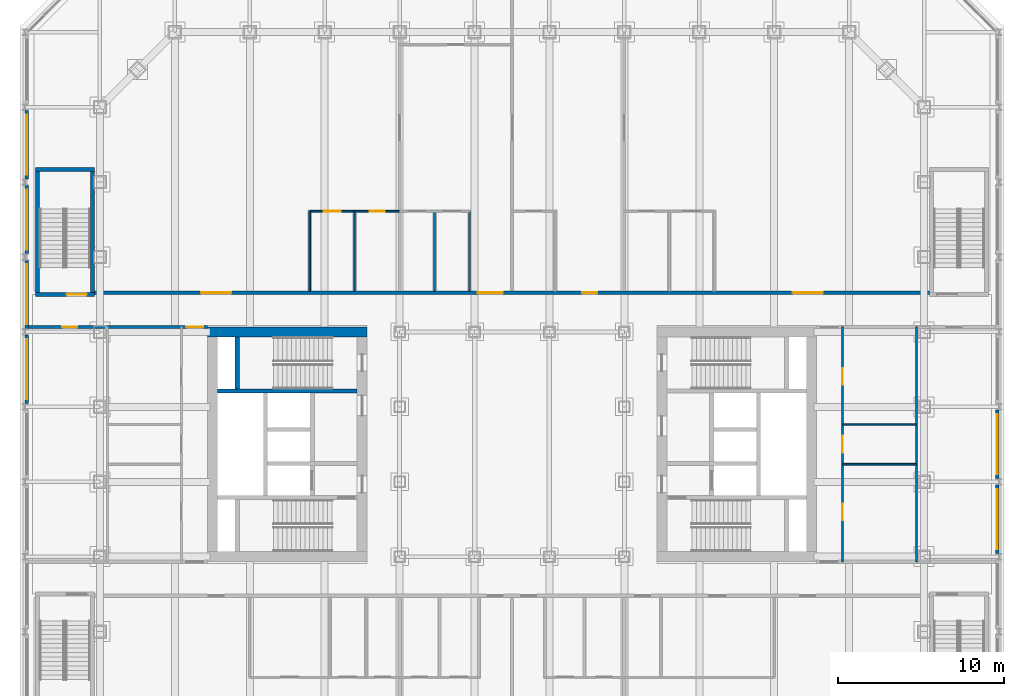
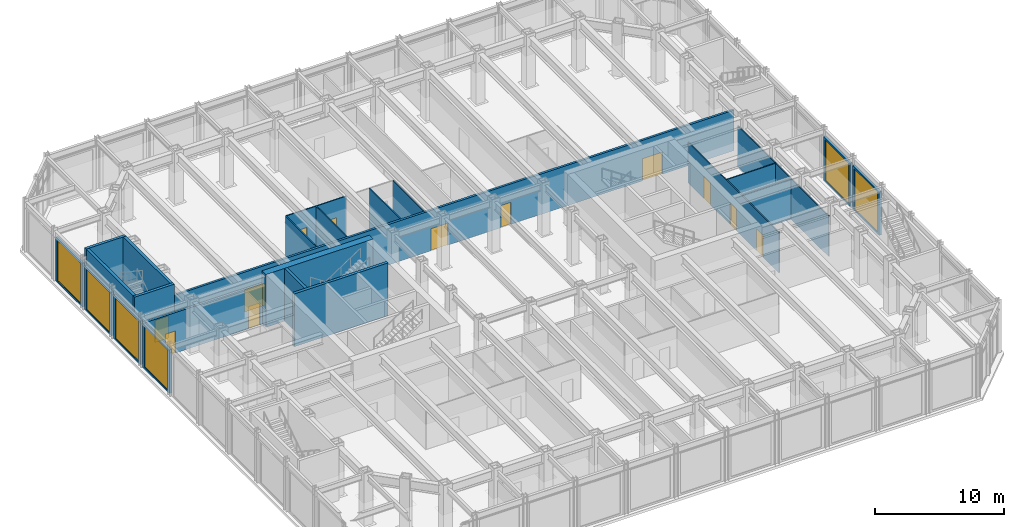
# One storey, part 13 of 19: 24 walls, 12 doors, 6 windows, 18 openings.
"""IFC4 building model written with IfcOpenShell, lengths in metres."""

from ifc_helpers import new_model, si_unit, direction, frame, frame_2d, origin, place, context, subcontext, project, spatial, rectangle, extrude, material, layer, layer_set, type_object, element, fill, save


model = new_model("IFC4")

# Units and contexts
model_context = context("Model", 3, precision=1e-05, world=origin(), true_north=direction((0.0, 1.0)))
body_context = subcontext(model_context, "Body", "Model", "MODEL_VIEW")
ifc_project = project(units=[si_unit("LENGTHUNIT", "METRE"), si_unit("AREAUNIT", "SQUARE_METRE"), si_unit("VOLUMEUNIT", "CUBIC_METRE"), si_unit("PLANEANGLEUNIT", "RADIAN"), si_unit("MASSUNIT", "GRAM", prefix="KILO")], contexts=[model_context])

# Site, building, storey
site_placement = place(None, origin())
site = spatial("IfcSite", under=ifc_project, at=site_placement, CompositionType="ELEMENT")
building_placement = place(site_placement, origin())
building = spatial("IfcBuilding", under=site, at=building_placement, Name="Msasa Ring Tower", CompositionType="ELEMENT")
storey_placement = place(building_placement, frame((0.0, 0.0, 11.0)))
storey = spatial("IfcBuildingStorey", under=building, at=storey_placement, Name="L02", CompositionType="ELEMENT", Elevation=11.0)

# Walls
ifc_material_1 = material(Name="Concrete C60/75", Category="concrete")
ifc_layer_1 = layer(ifc_material_1, 0.60009765625)
ifc_layer_set_1 = layer_set([ifc_layer_1], Name="CW1 CORE WALL 600")
wall_type_1 = type_object("IfcWallType", Name="CW1 CORE WALL 600", PredefinedType="SHEAR", material=ifc_layer_set_1)
wall_1_placement = place(storey_placement, frame((-8.699951171875, 6.75, 0.0), z_axis=(0.0, 0.0, 1.0), x_axis=(-1.0, 0.0, 0.0)))
element("IfcWall", 1, at=wall_1_placement, inside=storey, type_object=wall_type_1, Name="W core wall N L02", PredefinedType="SHEAR", context=body_context, shape_type="SweptSolid", body=[
    extrude(rectangle(XDim=9.60009765625, YDim=0.60009765625, at=frame_2d((4.800048828125, 0.0))), origin(), (0.0, 0.0, 1.0), 5.0),
])
ifc_material_2 = material(Name="Concrete C60/75", Category="concrete")
ifc_layer_2 = layer(ifc_material_2, 0.25)
ifc_layer_set_2 = layer_set([ifc_layer_2], Name="CW4 CORE INNER WALL 250")
wall_type_2 = type_object("IfcWallType", Name="CW4 CORE INNER WALL 250", PredefinedType="SHEAR", material=ifc_layer_set_2)
wall_2_placement = place(storey_placement, frame((-9.300048828125, 3.199951171875, 0.0), z_axis=(0.0, 0.0, 1.0), x_axis=(-1.0, 0.0, 0.0)))
element("IfcWall", 2, at=wall_2_placement, inside=storey, type_object=wall_type_2, Name="W core wall STAIRB L02", PredefinedType="SHEAR", context=body_context, shape_type="SweptSolid", body=[
    extrude(rectangle(XDim=8.39990234375, YDim=0.25, at=frame_2d((4.199951171875, 0.0))), origin(), (0.0, 0.0, 1.0), 5.0),
])
wall_3_placement = place(storey_placement, frame((-16.5, 3.324951171875, 0.0), z_axis=(0.0, 0.0, 1.0), x_axis=(0.0, 1.0, 0.0)))
element("IfcWall", 3, at=wall_3_placement, inside=storey, type_object=wall_type_2, Name="W core wall RISERB L02", PredefinedType="SHEAR", context=body_context, shape_type="SweptSolid", body=[
    extrude(rectangle(XDim=3.125, YDim=0.25, at=frame_2d((1.5625, 0.0))), origin(), (0.0, 0.0, 1.0), 5.0),
])

# Wall, opening, window
ifc_material_3 = material(Name="Terracotta rainscreen on blockwork", Category="masonry")
ifc_layer_3 = layer(ifc_material_3, 0.199951171875)
ifc_layer_set_3 = layer_set([ifc_layer_3], Name="FW2 TERRACOTTA PODIUM BAY WALL 200")
wall_type_3 = type_object("IfcWallType", Name="FW2 TERRACOTTA PODIUM BAY WALL 200", PredefinedType="SOLIDWALL", material=ifc_layer_set_3)
wall_4_placement = place(storey_placement, frame((29.14990234375, -6.5625, 0.0), z_axis=(0.0, 0.0, 1.0), x_axis=(0.0, 1.0, 0.0)))
wall_4 = element("IfcWall", 4, at=wall_4_placement, inside=storey, type_object=wall_type_3, Name="Podium bay wall E L02 17", PredefinedType="SOLIDWALL", context=body_context, shape_type="SweptSolid", body=[
    extrude(rectangle(XDim=4.124755859375, YDim=0.199951171875, at=frame_2d((2.0625, 0.0))), origin(), (0.0, 0.0, 1.0), 4.1328125),
])
opening_1_placement = place(wall_4_placement, frame((0.262451171875, 0.0, 0.14990234375)))
opening_1 = element("IfcOpeningElement", 5, at=opening_1_placement, cuts=wall_4, Name="Opening SF3", PredefinedType="OPENING", context=body_context, shape_type="SweptSolid", body=[
    extrude(rectangle(XDim=3.60009765625, YDim=3.8330078125, at=frame_2d((1.800048828125, 1.91650390625))), frame((0.0, 0.10986328125, 0.0), z_axis=(0.0, -1.0, 0.0), x_axis=(1.0, 0.0, 0.0)), (0.0, 0.0, 1.0), 0.219970703125),
])
ifc_material_4 = material(Name="Aluminium frame with clear glass", Category="aluminium")
window_type = type_object("IfcWindowType", Name="SF3 SHOPFRONT GLAZING 3600x3833", PartitioningType="SINGLE_PANEL", PredefinedType="WINDOW", material=ifc_material_4)
window_1_placement = place(opening_1_placement, origin())
window_1 = element("IfcWindow", 6, at=window_1_placement, inside=storey, type_object=window_type, Name="Shopfront glazing E L02 17", OverallHeight=3.8330078125, OverallWidth=3.60009765625, PartitioningType="SINGLE_PANEL", PredefinedType="WINDOW", context=body_context, shape_type="SweptSolid", body=[
    extrude(rectangle(XDim=3.60009765625, YDim=3.8330078125, at=frame_2d((1.800048828125, 1.91650390625))), frame((0.0, 0.030029296875, 0.0), z_axis=(0.0, -1.0, 0.0), x_axis=(1.0, 0.0, 0.0)), (0.0, 0.0, 1.0), 0.06005859375),
])
fill(opening_1, window_1)

wall_5_placement = place(storey_placement, frame((29.14990234375, -2.062255859375, 0.0), z_axis=(0.0, 0.0, 1.0), x_axis=(0.0, 1.0, 0.0)))
wall_5 = element("IfcWall", 7, at=wall_5_placement, inside=storey, type_object=wall_type_3, Name="Podium bay wall E L02 18", PredefinedType="SOLIDWALL", context=body_context, shape_type="SweptSolid", body=[
    extrude(rectangle(XDim=4.12451171875, YDim=0.199951171875, at=frame_2d((2.062255859375, 0.0))), origin(), (0.0, 0.0, 1.0), 4.1328125),
])
opening_2_placement = place(wall_5_placement, frame((0.26220703125, 0.0, 0.14990234375)))
opening_2 = element("IfcOpeningElement", 8, at=opening_2_placement, cuts=wall_5, Name="Opening SF3", PredefinedType="OPENING", context=body_context, shape_type="SweptSolid", body=[
    extrude(rectangle(XDim=3.60009765625, YDim=3.8330078125, at=frame_2d((1.800048828125, 1.91650390625))), frame((0.0, 0.10986328125, 0.0), z_axis=(0.0, -1.0, 0.0), x_axis=(1.0, 0.0, 0.0)), (0.0, 0.0, 1.0), 0.219970703125),
])
window_2_placement = place(opening_2_placement, origin())
window_2 = element("IfcWindow", 9, at=window_2_placement, inside=storey, type_object=window_type, Name="Shopfront glazing E L02 18", OverallHeight=3.8330078125, OverallWidth=3.60009765625, PartitioningType="SINGLE_PANEL", PredefinedType="WINDOW", context=body_context, shape_type="SweptSolid", body=[
    extrude(rectangle(XDim=3.60009765625, YDim=3.8330078125, at=frame_2d((1.800048828125, 1.91650390625))), frame((0.0, 0.030029296875, 0.0), z_axis=(0.0, -1.0, 0.0), x_axis=(1.0, 0.0, 0.0)), (0.0, 0.0, 1.0), 0.06005859375),
])
fill(opening_2, window_2)

wall_6_placement = place(storey_placement, frame((-29.14990234375, 2.437744140625, 0.0), z_axis=(0.0, 0.0, 1.0), x_axis=(0.0, 1.0, 0.0)))
wall_6 = element("IfcWall", 10, at=wall_6_placement, inside=storey, type_object=wall_type_3, Name="Podium bay wall W L02 45", PredefinedType="SOLIDWALL", context=body_context, shape_type="SweptSolid", body=[
    extrude(rectangle(XDim=4.124755859375, YDim=0.199951171875, at=frame_2d((2.0625, 0.0))), origin(), (0.0, 0.0, 1.0), 4.1328125),
])
opening_3_placement = place(wall_6_placement, frame((0.26220703125, 0.0, 0.14990234375)))
opening_3 = element("IfcOpeningElement", 11, at=opening_3_placement, cuts=wall_6, Name="Opening SF3", PredefinedType="OPENING", context=body_context, shape_type="SweptSolid", body=[
    extrude(rectangle(XDim=3.60009765625, YDim=3.8330078125, at=frame_2d((1.800048828125, 1.91650390625))), frame((0.0, 0.10986328125, 0.0), z_axis=(0.0, -1.0, 0.0), x_axis=(1.0, 0.0, 0.0)), (0.0, 0.0, 1.0), 0.219970703125),
])
window_3_placement = place(opening_3_placement, origin())
window_3 = element("IfcWindow", 12, at=window_3_placement, inside=storey, type_object=window_type, Name="Shopfront glazing W L02 45", OverallHeight=3.8330078125, OverallWidth=3.60009765625, PartitioningType="SINGLE_PANEL", PredefinedType="WINDOW", context=body_context, shape_type="SweptSolid", body=[
    extrude(rectangle(XDim=3.60009765625, YDim=3.8330078125, at=frame_2d((1.800048828125, 1.91650390625))), frame((0.0, 0.030029296875, 0.0), z_axis=(0.0, -1.0, 0.0), x_axis=(1.0, 0.0, 0.0)), (0.0, 0.0, 1.0), 0.06005859375),
])
fill(opening_3, window_3)

wall_7_placement = place(storey_placement, frame((-29.14990234375, 6.9375, 0.0), z_axis=(0.0, 0.0, 1.0), x_axis=(0.0, 1.0, 0.0)))
wall_7 = element("IfcWall", 13, at=wall_7_placement, inside=storey, type_object=wall_type_3, Name="Podium bay wall W L02 46", PredefinedType="SOLIDWALL", context=body_context, shape_type="SweptSolid", body=[
    extrude(rectangle(XDim=4.125, YDim=0.199951171875, at=frame_2d((2.0625, 0.0))), origin(), (0.0, 0.0, 1.0), 4.1328125),
])
opening_4_placement = place(wall_7_placement, frame((0.262451171875, 0.0, 0.14990234375)))
opening_4 = element("IfcOpeningElement", 14, at=opening_4_placement, cuts=wall_7, Name="Opening SF3", PredefinedType="OPENING", context=body_context, shape_type="SweptSolid", body=[
    extrude(rectangle(XDim=3.60009765625, YDim=3.8330078125, at=frame_2d((1.800048828125, 1.91650390625))), frame((0.0, 0.10986328125, 0.0), z_axis=(0.0, -1.0, 0.0), x_axis=(1.0, 0.0, 0.0)), (0.0, 0.0, 1.0), 0.219970703125),
])
window_4_placement = place(opening_4_placement, origin())
window_4 = element("IfcWindow", 15, at=window_4_placement, inside=storey, type_object=window_type, Name="Shopfront glazing W L02 46", OverallHeight=3.8330078125, OverallWidth=3.60009765625, PartitioningType="SINGLE_PANEL", PredefinedType="WINDOW", context=body_context, shape_type="SweptSolid", body=[
    extrude(rectangle(XDim=3.60009765625, YDim=3.8330078125, at=frame_2d((1.800048828125, 1.91650390625))), frame((0.0, 0.030029296875, 0.0), z_axis=(0.0, -1.0, 0.0), x_axis=(1.0, 0.0, 0.0)), (0.0, 0.0, 1.0), 0.06005859375),
])
fill(opening_4, window_4)

wall_8_placement = place(storey_placement, frame((-29.14990234375, 11.4375, 0.0), z_axis=(0.0, 0.0, 1.0), x_axis=(0.0, 1.0, 0.0)))
wall_8 = element("IfcWall", 16, at=wall_8_placement, inside=storey, type_object=wall_type_3, Name="Podium bay wall W L02 47", PredefinedType="SOLIDWALL", context=body_context, shape_type="SweptSolid", body=[
    extrude(rectangle(XDim=4.125, YDim=0.199951171875, at=frame_2d((2.0625, 0.0))), origin(), (0.0, 0.0, 1.0), 4.1328125),
])
opening_5_placement = place(wall_8_placement, frame((0.262451171875, 0.0, 0.14990234375)))
opening_5 = element("IfcOpeningElement", 17, at=opening_5_placement, cuts=wall_8, Name="Opening SF3", PredefinedType="OPENING", context=body_context, shape_type="SweptSolid", body=[
    extrude(rectangle(XDim=3.60009765625, YDim=3.8330078125, at=frame_2d((1.800048828125, 1.91650390625))), frame((0.0, 0.10986328125, 0.0), z_axis=(0.0, -1.0, 0.0), x_axis=(1.0, 0.0, 0.0)), (0.0, 0.0, 1.0), 0.219970703125),
])
window_5_placement = place(opening_5_placement, origin())
window_5 = element("IfcWindow", 18, at=window_5_placement, inside=storey, type_object=window_type, Name="Shopfront glazing W L02 47", OverallHeight=3.8330078125, OverallWidth=3.60009765625, PartitioningType="SINGLE_PANEL", PredefinedType="WINDOW", context=body_context, shape_type="SweptSolid", body=[
    extrude(rectangle(XDim=3.60009765625, YDim=3.8330078125, at=frame_2d((1.800048828125, 1.91650390625))), frame((0.0, 0.030029296875, 0.0), z_axis=(0.0, -1.0, 0.0), x_axis=(1.0, 0.0, 0.0)), (0.0, 0.0, 1.0), 0.06005859375),
])
fill(opening_5, window_5)

wall_9_placement = place(storey_placement, frame((-29.14990234375, 15.9375, 0.0), z_axis=(0.0, 0.0, 1.0), x_axis=(0.0, 1.0, 0.0)))
wall_9 = element("IfcWall", 19, at=wall_9_placement, inside=storey, type_object=wall_type_3, Name="Podium bay wall W L02 48", PredefinedType="SOLIDWALL", context=body_context, shape_type="SweptSolid", body=[
    extrude(rectangle(XDim=4.124755859375, YDim=0.199951171875, at=frame_2d((2.0625, 0.0))), origin(), (0.0, 0.0, 1.0), 4.1328125),
])
opening_6_placement = place(wall_9_placement, frame((0.262451171875, 0.0, 0.14990234375)))
opening_6 = element("IfcOpeningElement", 20, at=opening_6_placement, cuts=wall_9, Name="Opening SF3", PredefinedType="OPENING", context=body_context, shape_type="SweptSolid", body=[
    extrude(rectangle(XDim=3.60009765625, YDim=3.8330078125, at=frame_2d((1.800048828125, 1.91650390625))), frame((0.0, 0.10986328125, 0.0), z_axis=(0.0, -1.0, 0.0), x_axis=(1.0, 0.0, 0.0)), (0.0, 0.0, 1.0), 0.219970703125),
])
window_6_placement = place(opening_6_placement, origin())
window_6 = element("IfcWindow", 21, at=window_6_placement, inside=storey, type_object=window_type, Name="Shopfront glazing W L02 48", OverallHeight=3.8330078125, OverallWidth=3.60009765625, PartitioningType="SINGLE_PANEL", PredefinedType="WINDOW", context=body_context, shape_type="SweptSolid", body=[
    extrude(rectangle(XDim=3.60009765625, YDim=3.8330078125, at=frame_2d((1.800048828125, 1.91650390625))), frame((0.0, 0.030029296875, 0.0), z_axis=(0.0, -1.0, 0.0), x_axis=(1.0, 0.0, 0.0)), (0.0, 0.0, 1.0), 0.06005859375),
])
fill(opening_6, window_6)

# Wall, openings, doors
ifc_material_5 = material(Name="Concrete blockwork", Category="masonry")
ifc_layer_4 = layer(ifc_material_5, 0.199951171875)
ifc_layer_set_4 = layer_set([ifc_layer_4], Name="PT1 CORRIDOR WALL 200")
wall_type_4 = type_object("IfcWallType", Name="PT1 CORRIDOR WALL 200", PredefinedType="PARTITIONING", material=ifc_layer_set_4)
wall_10_placement = place(storey_placement, frame((-25.074951171875, 9.10009765625, 0.0), z_axis=(0.0, 0.0, 1.0), x_axis=(1.0, 0.0, 0.0)))
wall_10 = element("IfcWall", 22, at=wall_10_placement, inside=storey, type_object=wall_type_4, Name="Corridor wall L02-CORRN1", PredefinedType="PARTITIONING", context=body_context, shape_type="SweptSolid", body=[
    extrude(rectangle(XDim=50.14990234375, YDim=0.199951171875, at=frame_2d((25.074951171875, 0.0))), origin(), (0.0, 0.0, 1.0), 3.8291015625),
])
opening_7_placement = place(wall_10_placement, frame((6.39990234375, 0.0, 0.0)))
opening_7 = element("IfcOpeningElement", 23, at=opening_7_placement, cuts=wall_10, Name="Opening L02-012", PredefinedType="OPENING", context=body_context, shape_type="SweptSolid", body=[
    extrude(rectangle(XDim=1.800048828125, YDim=2.10009765625, at=frame_2d((0.89990234375, 1.050048828125))), frame((0.0, 0.10986328125, 0.0), z_axis=(0.0, -1.0, 0.0), x_axis=(1.0, 0.0, 0.0)), (0.0, 0.0, 1.0), 0.219970703125),
])
opening_8_placement = place(wall_10_placement, frame((23.02490234375, 0.0, 0.0)))
opening_8 = element("IfcOpeningElement", 24, at=opening_8_placement, cuts=wall_10, Name="Opening L02-013", PredefinedType="OPENING", context=body_context, shape_type="SweptSolid", body=[
    extrude(rectangle(XDim=1.5, YDim=2.10009765625, at=frame_2d((0.75, 1.050048828125))), frame((0.0, 0.10986328125, 0.0), z_axis=(0.0, -1.0, 0.0), x_axis=(1.0, 0.0, 0.0)), (0.0, 0.0, 1.0), 0.219970703125),
])
opening_9_placement = place(wall_10_placement, frame((29.300048828125, 0.0, 0.0)))
opening_9 = element("IfcOpeningElement", 25, at=opening_9_placement, cuts=wall_10, Name="Opening L02-014", PredefinedType="OPENING", context=body_context, shape_type="SweptSolid", body=[
    extrude(rectangle(XDim=0.89990234375, YDim=2.10009765625, at=frame_2d((0.449951171875, 1.050048828125))), frame((0.0, 0.10986328125, 0.0), z_axis=(0.0, -1.0, 0.0), x_axis=(1.0, 0.0, 0.0)), (0.0, 0.0, 1.0), 0.219970703125),
])
opening_10_placement = place(wall_10_placement, frame((41.949951171875, 0.0, 0.0)))
opening_10 = element("IfcOpeningElement", 26, at=opening_10_placement, cuts=wall_10, Name="Opening L02-015", PredefinedType="OPENING", context=body_context, shape_type="SweptSolid", body=[
    extrude(rectangle(XDim=1.800048828125, YDim=2.10009765625, at=frame_2d((0.89990234375, 1.050048828125))), frame((0.0, 0.10986328125, 0.0), z_axis=(0.0, -1.0, 0.0), x_axis=(1.0, 0.0, 0.0)), (0.0, 0.0, 1.0), 0.219970703125),
])
ifc_material_6 = material(Name="Timber door leaf in a steel frame", Category="steel")
door_type_1 = type_object("IfcDoorType", Name="D1 SINGLE DOOR TO CORRIDOR 900x2100", OperationType="SINGLE_SWING_LEFT", PredefinedType="DOOR", material=ifc_material_6)
door_1_placement = place(opening_9_placement, origin())
door_1 = element("IfcDoor", 27, at=door_1_placement, inside=storey, type_object=door_type_1, Name="Door L02-PDN2", OperationType="SINGLE_SWING_RIGHT", OverallHeight=2.10009765625, OverallWidth=0.89990234375, PredefinedType="DOOR", context=body_context, shape_type="SweptSolid", body=[
    extrude(rectangle(XDim=0.89990234375, YDim=2.10009765625, at=frame_2d((0.449951171875, 1.050048828125))), frame((0.0, 0.02490234375, 0.0), z_axis=(0.0, -1.0, 0.0), x_axis=(1.0, 0.0, 0.0)), (0.0, 0.0, 1.0), 0.050048828125),
])
fill(opening_9, door_1)
ifc_material_7 = material(Name="Timber door leaf in a steel frame", Category="steel")
door_type_2 = type_object("IfcDoorType", Name="D18 RESTAURANT PAIR OF DOORS 1800x2100", OperationType="SINGLE_SWING_LEFT", PredefinedType="DOOR", material=ifc_material_7)
door_2_placement = place(opening_7_placement, origin())
door_2 = element("IfcDoor", 28, at=door_2_placement, inside=storey, type_object=door_type_2, Name="Door L02-PDN0", OperationType="SINGLE_SWING_LEFT", OverallHeight=2.10009765625, OverallWidth=1.800048828125, PredefinedType="DOOR", context=body_context, shape_type="SweptSolid", body=[
    extrude(rectangle(XDim=1.800048828125, YDim=2.10009765625, at=frame_2d((0.89990234375, 1.050048828125))), frame((0.0, 0.02490234375, 0.0), z_axis=(0.0, -1.0, 0.0), x_axis=(1.0, 0.0, 0.0)), (0.0, 0.0, 1.0), 0.050048828125),
])
fill(opening_7, door_2)
door_3_placement = place(opening_10_placement, origin())
door_3 = element("IfcDoor", 29, at=door_3_placement, inside=storey, type_object=door_type_2, Name="Door L02-PDN3", OperationType="SINGLE_SWING_RIGHT", OverallHeight=2.10009765625, OverallWidth=1.800048828125, PredefinedType="DOOR", context=body_context, shape_type="SweptSolid", body=[
    extrude(rectangle(XDim=1.800048828125, YDim=2.10009765625, at=frame_2d((0.89990234375, 1.050048828125))), frame((0.0, 0.02490234375, 0.0), z_axis=(0.0, -1.0, 0.0), x_axis=(1.0, 0.0, 0.0)), (0.0, 0.0, 1.0), 0.050048828125),
])
fill(opening_10, door_3)
ifc_material_8 = material(Name="Timber door leaf in a steel frame", Category="steel")
door_type_3 = type_object("IfcDoorType", Name="D19 KITCHEN DOUBLE SWING DOOR 1500x2100", OperationType="SINGLE_SWING_LEFT", PredefinedType="DOOR", material=ifc_material_8)
door_4_placement = place(opening_8_placement, origin())
door_4 = element("IfcDoor", 30, at=door_4_placement, inside=storey, type_object=door_type_3, Name="Door L02-PDN1", OperationType="SINGLE_SWING_LEFT", OverallHeight=2.10009765625, OverallWidth=1.5, PredefinedType="DOOR", context=body_context, shape_type="SweptSolid", body=[
    extrude(rectangle(XDim=1.5, YDim=2.10009765625, at=frame_2d((0.75, 1.050048828125))), frame((0.0, 0.02490234375, 0.0), z_axis=(0.0, -1.0, 0.0), x_axis=(1.0, 0.0, 0.0)), (0.0, 0.0, 1.0), 0.050048828125),
])
fill(opening_8, door_4)

wall_11_placement = place(storey_placement, frame((-29.050048828125, 7.050048828125, 0.0), z_axis=(0.0, 0.0, 1.0), x_axis=(1.0, 0.0, 0.0)))
wall_11 = element("IfcWall", 31, at=wall_11_placement, inside=storey, type_object=wall_type_4, Name="Corridor wall L02-STRWN", PredefinedType="PARTITIONING", context=body_context, shape_type="SweptSolid", body=[
    extrude(rectangle(XDim=10.75, YDim=0.199951171875, at=frame_2d((5.375, 0.0))), origin(), (0.0, 0.0, 1.0), 3.8291015625),
])
opening_11_placement = place(wall_11_placement, frame((2.052490234375, 0.0, 0.0)))
opening_11 = element("IfcOpeningElement", 32, at=opening_11_placement, cuts=wall_11, Name="Opening L02-018", PredefinedType="OPENING", context=body_context, shape_type="SweptSolid", body=[
    extrude(rectangle(XDim=0.89990234375, YDim=2.10009765625, at=frame_2d((0.449951171875, 1.050048828125))), frame((0.0, 0.10986328125, 0.0), z_axis=(0.0, -1.0, 0.0), x_axis=(1.0, 0.0, 0.0)), (0.0, 0.0, 1.0), 0.219970703125),
])
opening_12_placement = place(wall_11_placement, frame((9.5, 0.0, 0.0)))
opening_12 = element("IfcOpeningElement", 33, at=opening_12_placement, cuts=wall_11, Name="Opening L02-019", PredefinedType="OPENING", context=body_context, shape_type="SweptSolid", body=[
    extrude(rectangle(XDim=1.0, YDim=2.10009765625, at=frame_2d((0.5, 1.050048828125))), frame((0.0, 0.10986328125, 0.0), z_axis=(0.0, -1.0, 0.0), x_axis=(1.0, 0.0, 0.0)), (0.0, 0.0, 1.0), 0.219970703125),
])
door_5_placement = place(opening_11_placement, origin())
door_5 = element("IfcDoor", 34, at=door_5_placement, inside=storey, type_object=door_type_1, Name="Door L02-WOW", OperationType="SINGLE_SWING_LEFT", OverallHeight=2.10009765625, OverallWidth=0.89990234375, PredefinedType="DOOR", context=body_context, shape_type="SweptSolid", body=[
    extrude(rectangle(XDim=0.89990234375, YDim=2.10009765625, at=frame_2d((0.449951171875, 1.050048828125))), frame((0.0, 0.02490234375, 0.0), z_axis=(0.0, -1.0, 0.0), x_axis=(1.0, 0.0, 0.0)), (0.0, 0.0, 1.0), 0.050048828125),
])
fill(opening_11, door_5)
ifc_material_9 = material(Name="Timber door leaf in a steel frame", Category="steel")
door_type_4 = type_object("IfcDoorType", Name="D12 WC DOOR 1000x2100", OperationType="SINGLE_SWING_LEFT", PredefinedType="DOOR", material=ifc_material_9)
door_6_placement = place(opening_12_placement, origin())
door_6 = element("IfcDoor", 35, at=door_6_placement, inside=storey, type_object=door_type_4, Name="Door L02-WLWN", OperationType="SINGLE_SWING_RIGHT", OverallHeight=2.10009765625, OverallWidth=1.0, PredefinedType="DOOR", context=body_context, shape_type="SweptSolid", body=[
    extrude(rectangle(XDim=1.0, YDim=2.10009765625, at=frame_2d((0.5, 1.050048828125))), frame((0.0, 0.02490234375, 0.0), z_axis=(0.0, -1.0, 0.0), x_axis=(1.0, 0.0, 0.0)), (0.0, 0.0, 1.0), 0.050048828125),
])
fill(opening_12, door_6)

ifc_material_10 = material(Name="Gypsum board on steel studs", Category="steel")
ifc_layer_5 = layer(ifc_material_10, 0.10009765625)
ifc_layer_set_5 = layer_set([ifc_layer_5], Name="PT2 STUD PARTITION 100")
wall_type_5 = type_object("IfcWallType", Name="PT2 STUD PARTITION 100", PredefinedType="PARTITIONING", material=ifc_layer_set_5)
wall_12_placement = place(storey_placement, frame((-12.14990234375, 14.0, 0.0), z_axis=(0.0, 0.0, 1.0), x_axis=(1.0, 0.0, 0.0)))
wall_12 = element("IfcWall", 36, at=wall_12_placement, inside=storey, type_object=wall_type_5, Name="Partition L02-PDN0BY", PredefinedType="PARTITIONING", context=body_context, shape_type="SweptSolid", body=[
    extrude(rectangle(XDim=5.39990234375, YDim=0.10009765625, at=frame_2d((2.699951171875, 0.0))), origin(), (0.0, 0.0, 1.0), 3.8291015625),
])
opening_13_placement = place(wall_12_placement, frame((0.85009765625, 0.0, 0.0)))
opening_13 = element("IfcOpeningElement", 37, at=opening_13_placement, cuts=wall_12, Name="Opening L02-005", PredefinedType="OPENING", context=body_context, shape_type="SweptSolid", body=[
    extrude(rectangle(XDim=1.0, YDim=2.10009765625, at=frame_2d((0.5, 1.050048828125))), frame((0.0, 0.06005859375, 0.0), z_axis=(0.0, -1.0, 0.0), x_axis=(1.0, 0.0, 0.0)), (0.0, 0.0, 1.0), 0.1201171875),
])
opening_14_placement = place(wall_12_placement, frame((3.60009765625, 0.0, 0.0)))
opening_14 = element("IfcOpeningElement", 38, at=opening_14_placement, cuts=wall_12, Name="Opening L02-006", PredefinedType="OPENING", context=body_context, shape_type="SweptSolid", body=[
    extrude(rectangle(XDim=0.89990234375, YDim=2.10009765625, at=frame_2d((0.449951171875, 1.050048828125))), frame((0.0, 0.06005859375, 0.0), z_axis=(0.0, -1.0, 0.0), x_axis=(1.0, 0.0, 0.0)), (0.0, 0.0, 1.0), 0.1201171875),
])
ifc_material_11 = material(Name="Timber door leaf in a steel frame", Category="steel")
door_type_5 = type_object("IfcDoorType", Name="D22 INTERNAL HALL DOOR 900x2100", OperationType="SINGLE_SWING_LEFT", PredefinedType="DOOR", material=ifc_material_11)
door_7_placement = place(opening_14_placement, origin())
door_7 = element("IfcDoor", 39, at=door_7_placement, inside=storey, type_object=door_type_5, Name="Door L02-PDN0B1", OperationType="SINGLE_SWING_RIGHT", OverallHeight=2.10009765625, OverallWidth=0.89990234375, PredefinedType="DOOR", context=body_context, shape_type="SweptSolid", body=[
    extrude(rectangle(XDim=0.89990234375, YDim=2.10009765625, at=frame_2d((0.449951171875, 1.050048828125))), frame((0.0, 0.02490234375, 0.0), z_axis=(0.0, -1.0, 0.0), x_axis=(1.0, 0.0, 0.0)), (0.0, 0.0, 1.0), 0.050048828125),
])
fill(opening_14, door_7)
ifc_material_12 = material(Name="Timber door leaf in a steel frame", Category="steel")
door_type_6 = type_object("IfcDoorType", Name="D27 INTERNAL STORE DOOR 1000x2100", OperationType="SINGLE_SWING_LEFT", PredefinedType="DOOR", material=ifc_material_12)
door_8_placement = place(opening_13_placement, origin())
door_8 = element("IfcDoor", 40, at=door_8_placement, inside=storey, type_object=door_type_6, Name="Door L02-PDN0B0", OperationType="SINGLE_SWING_LEFT", OverallHeight=2.10009765625, OverallWidth=1.0, PredefinedType="DOOR", context=body_context, shape_type="SweptSolid", body=[
    extrude(rectangle(XDim=1.0, YDim=2.10009765625, at=frame_2d((0.5, 1.050048828125))), frame((0.0, 0.02490234375, 0.0), z_axis=(0.0, -1.0, 0.0), x_axis=(1.0, 0.0, 0.0)), (0.0, 0.0, 1.0), 0.050048828125),
])
fill(opening_13, door_8)

# Walls
for number, where, z_axis, x_axis, name in (
    (41, (-12.14990234375, 9.199951171875, 0.0), (0.0, 0.0, 1.0), (0.0, 1.0, 0.0), "Partition L02-PDN0BX-12.15"),
    (42, (-9.449951171875, 9.199951171875, 0.0), (0.0, 0.0, 1.0), (0.0, 1.0, 0.0), "Partition L02-PDN0BX-9.45"),
    (43, (-4.64990234375, 9.199951171875, 0.0), (0.0, 0.0, 1.0), (0.0, 1.0, 0.0), "Partition L02-PDN1BX-4.65"),
    (44, (-2.550048828125, 9.199951171875, 0.0), (0.0, 0.0, 1.0), (0.0, 1.0, 0.0), "Partition L02-PDN1BX-2.55"),
):
    element("IfcWall", number, at=place(storey_placement, frame(where, z_axis=z_axis, x_axis=x_axis)), inside=storey, type_object=wall_type_5, Name=name, PredefinedType="PARTITIONING", context=body_context, shape_type="SweptSolid", body=[
        extrude(rectangle(XDim=4.800048828125, YDim=0.10009765625, at=frame_2d((2.39990234375, 0.0))), origin(), (0.0, 0.0, 1.0), 3.8291015625),
    ])

# Wall, openings, doors
wall_13_placement = place(storey_placement, frame((19.85009765625, -7.050048828125, 0.0), z_axis=(0.0, 0.0, 1.0), x_axis=(0.0, 1.0, 0.0)))
wall_13 = element("IfcWall", 45, at=wall_13_placement, inside=storey, type_object=wall_type_5, Name="Partition L02-WCEL", PredefinedType="PARTITIONING", context=body_context, shape_type="SweptSolid", body=[
    extrude(rectangle(XDim=14.10009765625, YDim=0.10009765625, at=frame_2d((7.050048828125, 0.0))), origin(), (0.0, 0.0, 1.0), 3.8291015625),
])
opening_15_placement = place(wall_13_placement, frame((2.47509765625, 0.0, 0.0)))
opening_15 = element("IfcOpeningElement", 46, at=opening_15_placement, cuts=wall_13, Name="Opening L02-035", PredefinedType="OPENING", context=body_context, shape_type="SweptSolid", body=[
    extrude(rectangle(XDim=1.0, YDim=2.10009765625, at=frame_2d((0.5, 1.050048828125))), frame((0.0, 0.06005859375, 0.0), z_axis=(0.0, -1.0, 0.0), x_axis=(1.0, 0.0, 0.0)), (0.0, 0.0, 1.0), 0.1201171875),
])
opening_16_placement = place(wall_13_placement, frame((6.550048828125, 0.0, 0.0)))
opening_16 = element("IfcOpeningElement", 47, at=opening_16_placement, cuts=wall_13, Name="Opening L02-029", PredefinedType="OPENING", context=body_context, shape_type="SweptSolid", body=[
    extrude(rectangle(XDim=1.0, YDim=2.10009765625, at=frame_2d((0.5, 1.050048828125))), frame((0.0, 0.06005859375, 0.0), z_axis=(0.0, -1.0, 0.0), x_axis=(1.0, 0.0, 0.0)), (0.0, 0.0, 1.0), 0.1201171875),
])
opening_17_placement = place(wall_13_placement, frame((10.625, 0.0, 0.0)))
opening_17 = element("IfcOpeningElement", 48, at=opening_17_placement, cuts=wall_13, Name="Opening L02-025", PredefinedType="OPENING", context=body_context, shape_type="SweptSolid", body=[
    extrude(rectangle(XDim=1.0, YDim=2.10009765625, at=frame_2d((0.5, 1.050048828125))), frame((0.0, 0.06005859375, 0.0), z_axis=(0.0, -1.0, 0.0), x_axis=(1.0, 0.0, 0.0)), (0.0, 0.0, 1.0), 0.1201171875),
])
door_9_placement = place(opening_15_placement, origin())
door_9 = element("IfcDoor", 49, at=door_9_placement, inside=storey, type_object=door_type_4, Name="Door L02-WCE0", OperationType="SINGLE_SWING_LEFT", OverallHeight=2.10009765625, OverallWidth=1.0, PredefinedType="DOOR", context=body_context, shape_type="SweptSolid", body=[
    extrude(rectangle(XDim=1.0, YDim=2.10009765625, at=frame_2d((0.5, 1.050048828125))), frame((0.0, 0.02490234375, 0.0), z_axis=(0.0, -1.0, 0.0), x_axis=(1.0, 0.0, 0.0)), (0.0, 0.0, 1.0), 0.050048828125),
])
fill(opening_15, door_9)
door_10_placement = place(opening_16_placement, origin())
door_10 = element("IfcDoor", 50, at=door_10_placement, inside=storey, type_object=door_type_4, Name="Door L02-WCE1", OperationType="SINGLE_SWING_LEFT", OverallHeight=2.10009765625, OverallWidth=1.0, PredefinedType="DOOR", context=body_context, shape_type="SweptSolid", body=[
    extrude(rectangle(XDim=1.0, YDim=2.10009765625, at=frame_2d((0.5, 1.050048828125))), frame((0.0, 0.02490234375, 0.0), z_axis=(0.0, -1.0, 0.0), x_axis=(1.0, 0.0, 0.0)), (0.0, 0.0, 1.0), 0.050048828125),
])
fill(opening_16, door_10)
door_11_placement = place(opening_17_placement, origin())
door_11 = element("IfcDoor", 51, at=door_11_placement, inside=storey, type_object=door_type_4, Name="Door L02-WCE2", OperationType="SINGLE_SWING_RIGHT", OverallHeight=2.10009765625, OverallWidth=1.0, PredefinedType="DOOR", context=body_context, shape_type="SweptSolid", body=[
    extrude(rectangle(XDim=1.0, YDim=2.10009765625, at=frame_2d((0.5, 1.050048828125))), frame((0.0, 0.02490234375, 0.0), z_axis=(0.0, -1.0, 0.0), x_axis=(1.0, 0.0, 0.0)), (0.0, 0.0, 1.0), 0.050048828125),
])
fill(opening_17, door_11)

# Walls
for number, where, z_axis, x_axis, name in (
    (52, (19.85009765625, -1.199951171875, 0.0), (0.0, 0.0, 1.0), (1.0, 0.0, 0.0), "Partition L02-WCEX0"),
    (53, (19.85009765625, 1.199951171875, 0.0), (0.0, 0.0, 1.0), (1.0, 0.0, 0.0), "Partition L02-WCEX1"),
):
    element("IfcWall", number, at=place(storey_placement, frame(where, z_axis=z_axis, x_axis=x_axis)), inside=storey, type_object=wall_type_5, Name=name, PredefinedType="PARTITIONING", context=body_context, shape_type="SweptSolid", body=[
        extrude(rectangle(XDim=4.44482421875, YDim=0.10009765625, at=frame_2d((2.222412109375, 0.0))), origin(), (0.0, 0.0, 1.0), 3.8291015625),
    ])
wall_14_placement = place(storey_placement, frame((24.294921875, -7.050048828125, 0.0), z_axis=(0.0, 0.0, 1.0), x_axis=(0.0, 1.0, 0.0)))
element("IfcWall", 54, at=wall_14_placement, inside=storey, type_object=wall_type_5, Name="Partition L02-WCEC", PredefinedType="PARTITIONING", context=body_context, shape_type="SweptSolid", body=[
    extrude(rectangle(XDim=14.10009765625, YDim=0.10009765625, at=frame_2d((7.050048828125, 0.0))), origin(), (0.0, 0.0, 1.0), 3.8291015625),
])

# Wall, opening, door
ifc_material_13 = material(Name="Concrete C60/75", Category="concrete")
ifc_layer_6 = layer(ifc_material_13, 0.25)
ifc_layer_set_6 = layer_set([ifc_layer_6], Name="SW1 STAIR WALL 250")
wall_type_6 = type_object("IfcWallType", Name="SW1 STAIR WALL 250", PredefinedType="SHEAR", material=ifc_layer_set_6)
wall_15_placement = place(storey_placement, frame((-28.625, 9.0, 0.0), z_axis=(0.0, 0.0, 1.0), x_axis=(1.0, 0.0, 0.0)))
wall_15 = element("IfcWall", 55, at=wall_15_placement, inside=storey, type_object=wall_type_6, Name="Podium stair WN wall S L02", PredefinedType="SHEAR", context=body_context, shape_type="SweptSolid", body=[
    extrude(rectangle(XDim=3.550048828125, YDim=0.25, at=frame_2d((1.77490234375, 0.0))), origin(), (0.0, 0.0, 1.0), 5.0),
])
opening_18_placement = place(wall_15_placement, frame((1.875, 0.0, 0.0)))
opening_18 = element("IfcOpeningElement", 56, at=opening_18_placement, cuts=wall_15, Name="Opening L02-016", PredefinedType="OPENING", context=body_context, shape_type="SweptSolid", body=[
    extrude(rectangle(XDim=1.199951171875, YDim=2.10009765625, at=frame_2d((0.60009765625, 1.050048828125))), frame((0.0, 0.135009765625, 0.0), z_axis=(0.0, -1.0, 0.0), x_axis=(1.0, 0.0, 0.0)), (0.0, 0.0, 1.0), 0.27001953125),
])
ifc_material_14 = material(Name="Timber door leaf in a steel frame", Category="steel")
door_type_7 = type_object("IfcDoorType", Name="D7 WIDE STAIR DOOR 1200x2100", OperationType="SINGLE_SWING_LEFT", PredefinedType="DOOR", material=ifc_material_14)
door_12_placement = place(opening_18_placement, origin())
door_12 = element("IfcDoor", 57, at=door_12_placement, inside=storey, type_object=door_type_7, Name="Door L02-PSTWN", OperationType="SINGLE_SWING_RIGHT", OverallHeight=2.10009765625, OverallWidth=1.199951171875, PredefinedType="DOOR", context=body_context, shape_type="SweptSolid", body=[
    extrude(rectangle(XDim=1.199951171875, YDim=2.10009765625, at=frame_2d((0.60009765625, 1.050048828125))), frame((0.0, 0.02490234375, 0.0), z_axis=(0.0, -1.0, 0.0), x_axis=(1.0, 0.0, 0.0)), (0.0, 0.0, 1.0), 0.050048828125),
])
fill(opening_18, door_12)

# Walls
wall_16_placement = place(storey_placement, frame((-28.625, 16.5, 0.0), z_axis=(0.0, 0.0, 1.0), x_axis=(1.0, 0.0, 0.0)))
element("IfcWall", 58, at=wall_16_placement, inside=storey, type_object=wall_type_6, Name="Podium stair WN wall N L02", PredefinedType="SHEAR", context=body_context, shape_type="SweptSolid", body=[
    extrude(rectangle(XDim=3.550048828125, YDim=0.25, at=frame_2d((1.77490234375, 0.0))), origin(), (0.0, 0.0, 1.0), 5.0),
])
for number, where, z_axis, x_axis, name in (
    (59, (-28.5, 9.125, 0.0), (0.0, 0.0, 1.0), (0.0, 1.0, 0.0), "Podium stair WN wall W L02"),
    (60, (-25.199951171875, 9.125, 0.0), (0.0, 0.0, 1.0), (0.0, 1.0, 0.0), "Podium stair WN wall E L02"),
):
    element("IfcWall", number, at=place(storey_placement, frame(where, z_axis=z_axis, x_axis=x_axis)), inside=storey, type_object=wall_type_6, Name=name, PredefinedType="SHEAR", context=body_context, shape_type="SweptSolid", body=[
        extrude(rectangle(XDim=7.25, YDim=0.25, at=frame_2d((3.625, 0.0))), origin(), (0.0, 0.0, 1.0), 5.0),
    ])

save(model, "model.ifc")
